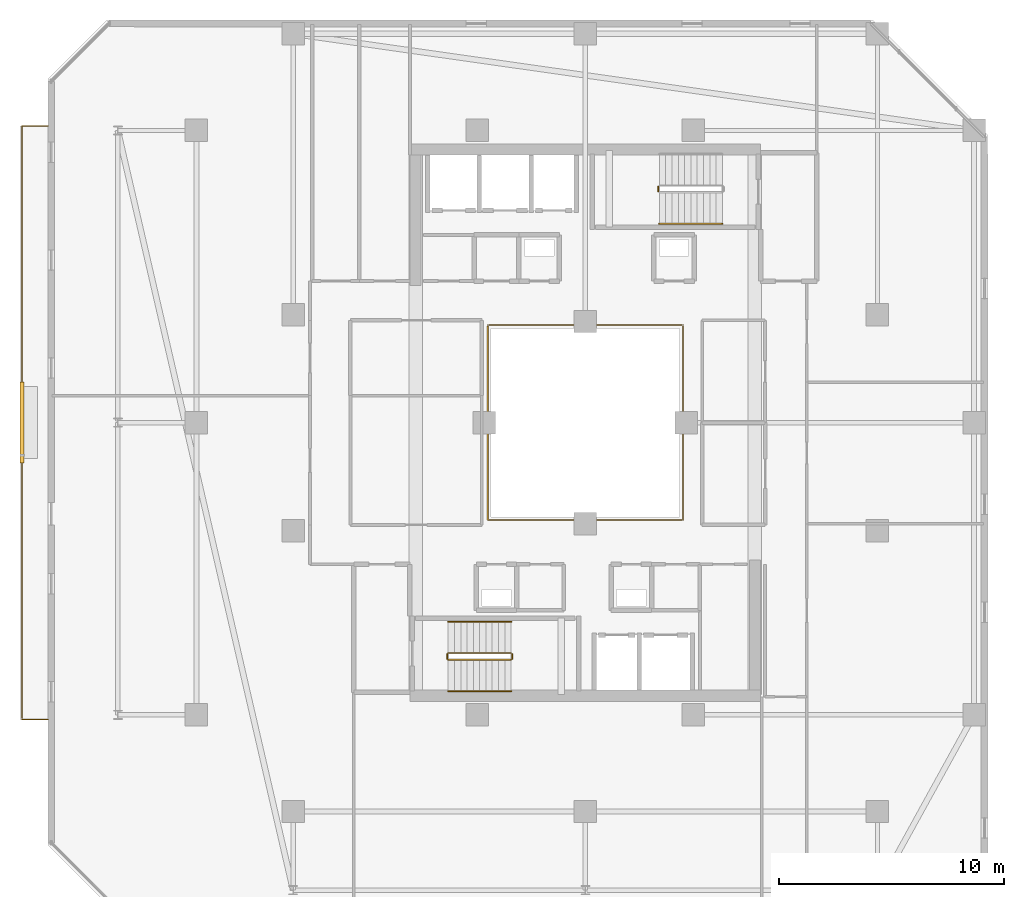
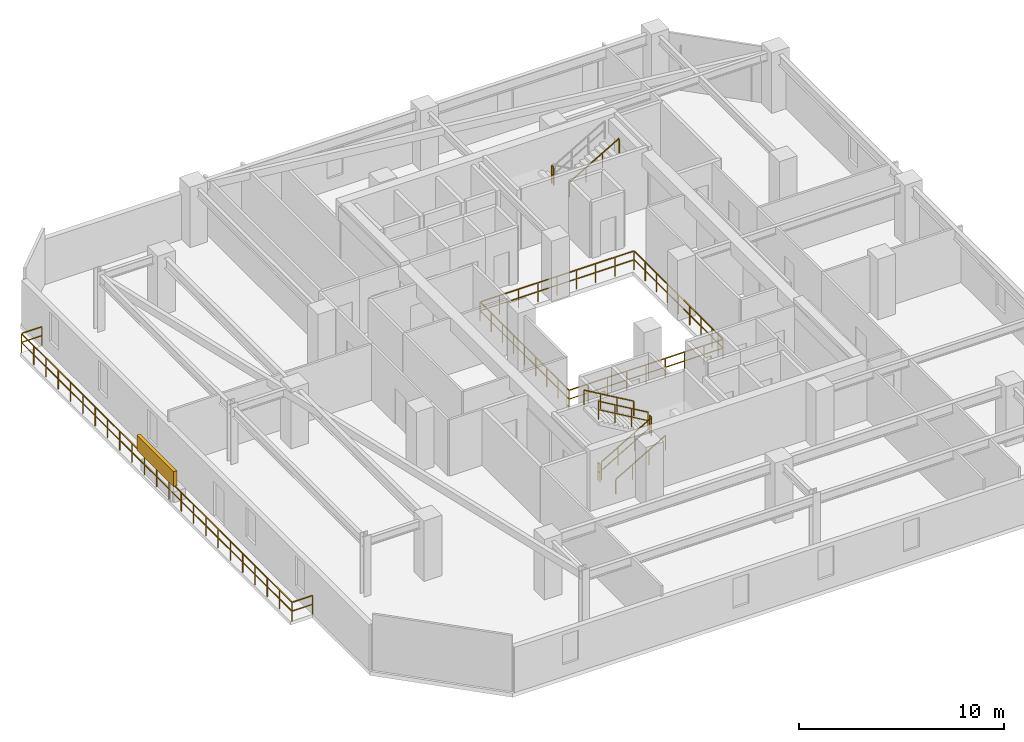
# One storey, part 29 of 32: 10 railings, 1 shading device.
"""IFC4 building model written with IfcOpenShell, lengths in metres."""

from ifc_helpers import new_model, si_unit, direction, frame, origin, origin_2d, place, context, subcontext, project, spatial, rectangle, extrude, material, type_object, element, save


model = new_model("IFC4")

# Units and contexts
model_context = context("Model", 3, precision=1e-05, world=origin(), true_north=direction((0.0, 1.0)))
body_context = subcontext(model_context, "Body", "Model", "MODEL_VIEW")
ifc_project = project(units=[si_unit("LENGTHUNIT", "METRE"), si_unit("AREAUNIT", "SQUARE_METRE"), si_unit("VOLUMEUNIT", "CUBIC_METRE"), si_unit("PLANEANGLEUNIT", "RADIAN"), si_unit("MASSUNIT", "GRAM", prefix="KILO")], contexts=[model_context])

# Site, building, storey
site_placement = place(None, origin())
site = spatial("IfcSite", under=ifc_project, at=site_placement, CompositionType="ELEMENT")
building_placement = place(site_placement, origin())
building = spatial("IfcBuilding", under=site, at=building_placement, Name="Thornwick Lancets Civic Towers", CompositionType="ELEMENT")
storey_placement = place(building_placement, frame((0.0, 0.0, 243.89990234375)))
storey = spatial("IfcBuildingStorey", under=building, at=storey_placement, Name="L65", CompositionType="ELEMENT", Elevation=243.89990234375)

# Railings
ifc_material_1 = material(Name="Laminated glass and bronze steel S355", Category="steel")
railing_type_1 = type_object("IfcRailingType", Name="RAIL_ATRIUM_GUARD", PredefinedType="BALUSTRADE", material=ifc_material_1)
railing_1_placement = place(storey_placement, frame((21.159912109375, 22.659912109375, 0.0)))
element("IfcRailing", 1, at=railing_1_placement, inside=storey, type_object=railing_type_1, Name="L65 Tower A Central Atrium Guard Balustrade", PredefinedType="BALUSTRADE", context=body_context, shape_type="SweptSolid", body=[
    extrude(rectangle(XDim=0.048095703125, YDim=0.048095703125, at=origin_2d()), frame((0.0, 0.0, 1.1259765625), z_axis=(1.0, 0.0, 0.0), x_axis=(0.0, 1.0, 0.0)), (0.0, 0.0, 1.0), 8.64892578125),
    extrude(rectangle(XDim=0.0419921875, YDim=0.0419921875, at=origin_2d()), frame((0.03759765625, 0.0, 0.597900390625), z_axis=(1.0, 0.0, 0.0), x_axis=(0.0, 1.0, 0.0)), (0.0, 0.0, 1.0), 1.010009765625),
    extrude(rectangle(XDim=0.0419921875, YDim=0.0419921875, at=origin_2d()), frame((1.12255859375, 0.0, 0.597900390625), z_axis=(1.0, 0.0, 0.0), x_axis=(0.0, 1.0, 0.0)), (0.0, 0.0, 1.0), 1.010009765625),
    extrude(rectangle(XDim=0.0419921875, YDim=0.0419921875, at=origin_2d()), frame((2.20751953125, 0.0, 0.597900390625), z_axis=(1.0, 0.0, 0.0), x_axis=(0.0, 1.0, 0.0)), (0.0, 0.0, 1.0), 1.010009765625),
    extrude(rectangle(XDim=0.0419921875, YDim=0.0419921875, at=origin_2d()), frame((3.29248046875, 0.0, 0.597900390625), z_axis=(1.0, 0.0, 0.0), x_axis=(0.0, 1.0, 0.0)), (0.0, 0.0, 1.0), 1.010009765625),
    extrude(rectangle(XDim=0.0419921875, YDim=0.0419921875, at=origin_2d()), frame((4.377685546875, 0.0, 0.597900390625), z_axis=(1.0, 0.0, 0.0), x_axis=(0.0, 1.0, 0.0)), (0.0, 0.0, 1.0), 1.010009765625),
    extrude(rectangle(XDim=0.0419921875, YDim=0.0419921875, at=origin_2d()), frame((5.462646484375, 0.0, 0.597900390625), z_axis=(1.0, 0.0, 0.0), x_axis=(0.0, 1.0, 0.0)), (0.0, 0.0, 1.0), 1.010009765625),
    extrude(rectangle(XDim=0.0419921875, YDim=0.0419921875, at=origin_2d()), frame((6.547607421875, 0.0, 0.597900390625), z_axis=(1.0, 0.0, 0.0), x_axis=(0.0, 1.0, 0.0)), (0.0, 0.0, 1.0), 1.010009765625),
    extrude(rectangle(XDim=0.0419921875, YDim=0.0419921875, at=origin_2d()), frame((7.632568359375, 0.0, 0.597900390625), z_axis=(1.0, 0.0, 0.0), x_axis=(0.0, 1.0, 0.0)), (0.0, 0.0, 1.0), 1.010009765625),
    extrude(rectangle(XDim=0.048095703125, YDim=0.048095703125, at=origin_2d()), frame((8.68017578125, 0.03125, 1.1259765625), z_axis=(0.0, 1.0, 0.0), x_axis=(-1.0, 0.0, 0.0)), (0.0, 0.0, 1.0), 8.61767578125),
    extrude(rectangle(XDim=0.0419921875, YDim=0.0419921875, at=origin_2d()), frame((8.68017578125, 0.03759765625, 0.597900390625), z_axis=(0.0, 1.0, 0.0), x_axis=(-1.0, 0.0, 0.0)), (0.0, 0.0, 1.0), 1.010009765625),
    extrude(rectangle(XDim=0.0419921875, YDim=0.0419921875, at=origin_2d()), frame((8.68017578125, 1.12255859375, 0.597900390625), z_axis=(0.0, 1.0, 0.0), x_axis=(-1.0, 0.0, 0.0)), (0.0, 0.0, 1.0), 1.010009765625),
    extrude(rectangle(XDim=0.0419921875, YDim=0.0419921875, at=origin_2d()), frame((8.68017578125, 2.20751953125, 0.597900390625), z_axis=(0.0, 1.0, 0.0), x_axis=(-1.0, 0.0, 0.0)), (0.0, 0.0, 1.0), 1.010009765625),
    extrude(rectangle(XDim=0.0419921875, YDim=0.0419921875, at=origin_2d()), frame((8.68017578125, 3.29248046875, 0.597900390625), z_axis=(0.0, 1.0, 0.0), x_axis=(-1.0, 0.0, 0.0)), (0.0, 0.0, 1.0), 1.010009765625),
    extrude(rectangle(XDim=0.0419921875, YDim=0.0419921875, at=origin_2d()), frame((8.68017578125, 4.377685546875, 0.597900390625), z_axis=(0.0, 1.0, 0.0), x_axis=(-1.0, 0.0, 0.0)), (0.0, 0.0, 1.0), 1.010009765625),
    extrude(rectangle(XDim=0.0419921875, YDim=0.0419921875, at=origin_2d()), frame((8.68017578125, 5.462646484375, 0.597900390625), z_axis=(0.0, 1.0, 0.0), x_axis=(-1.0, 0.0, 0.0)), (0.0, 0.0, 1.0), 1.010009765625),
    extrude(rectangle(XDim=0.0419921875, YDim=0.0419921875, at=origin_2d()), frame((8.68017578125, 6.547607421875, 0.597900390625), z_axis=(0.0, 1.0, 0.0), x_axis=(-1.0, 0.0, 0.0)), (0.0, 0.0, 1.0), 1.010009765625),
    extrude(rectangle(XDim=0.0419921875, YDim=0.0419921875, at=origin_2d()), frame((8.68017578125, 7.632568359375, 0.597900390625), z_axis=(0.0, 1.0, 0.0), x_axis=(-1.0, 0.0, 0.0)), (0.0, 0.0, 1.0), 1.010009765625),
    extrude(rectangle(XDim=0.048095703125, YDim=0.048095703125, at=origin_2d()), frame((8.64892578125, 8.68017578125, 1.1259765625), z_axis=(-1.0, 0.0, 0.0), x_axis=(0.0, -1.0, 0.0)), (0.0, 0.0, 1.0), 8.61767578125),
    extrude(rectangle(XDim=0.0419921875, YDim=0.0419921875, at=origin_2d()), frame((8.642578125, 8.68017578125, 0.597900390625), z_axis=(-1.0, 0.0, 0.0), x_axis=(0.0, -1.0, 0.0)), (0.0, 0.0, 1.0), 1.010009765625),
    extrude(rectangle(XDim=0.0419921875, YDim=0.0419921875, at=origin_2d()), frame((7.5576171875, 8.68017578125, 0.597900390625), z_axis=(-1.0, 0.0, 0.0), x_axis=(0.0, -1.0, 0.0)), (0.0, 0.0, 1.0), 1.010009765625),
    extrude(rectangle(XDim=0.0419921875, YDim=0.0419921875, at=origin_2d()), frame((6.47265625, 8.68017578125, 0.597900390625), z_axis=(-1.0, 0.0, 0.0), x_axis=(0.0, -1.0, 0.0)), (0.0, 0.0, 1.0), 1.010009765625),
    extrude(rectangle(XDim=0.0419921875, YDim=0.0419921875, at=origin_2d()), frame((5.3876953125, 8.68017578125, 0.597900390625), z_axis=(-1.0, 0.0, 0.0), x_axis=(0.0, -1.0, 0.0)), (0.0, 0.0, 1.0), 1.010009765625),
    extrude(rectangle(XDim=0.0419921875, YDim=0.0419921875, at=origin_2d()), frame((4.302490234375, 8.68017578125, 0.597900390625), z_axis=(-1.0, 0.0, 0.0), x_axis=(0.0, -1.0, 0.0)), (0.0, 0.0, 1.0), 1.010009765625),
    extrude(rectangle(XDim=0.0419921875, YDim=0.0419921875, at=origin_2d()), frame((3.217529296875, 8.68017578125, 0.597900390625), z_axis=(-1.0, 0.0, 0.0), x_axis=(0.0, -1.0, 0.0)), (0.0, 0.0, 1.0), 1.010009765625),
    extrude(rectangle(XDim=0.0419921875, YDim=0.0419921875, at=origin_2d()), frame((2.132568359375, 8.68017578125, 0.597900390625), z_axis=(-1.0, 0.0, 0.0), x_axis=(0.0, -1.0, 0.0)), (0.0, 0.0, 1.0), 1.010009765625),
    extrude(rectangle(XDim=0.0419921875, YDim=0.0419921875, at=origin_2d()), frame((1.047607421875, 8.68017578125, 0.597900390625), z_axis=(-1.0, 0.0, 0.0), x_axis=(0.0, -1.0, 0.0)), (0.0, 0.0, 1.0), 1.010009765625),
    extrude(rectangle(XDim=0.048095703125, YDim=0.048095703125, at=origin_2d()), frame((0.0, 8.64892578125, 1.1259765625), z_axis=(0.0, -1.0, 0.0), x_axis=(1.0, 0.0, 0.0)), (0.0, 0.0, 1.0), 8.64892578125),
    extrude(rectangle(XDim=0.0419921875, YDim=0.0419921875, at=origin_2d()), frame((0.0, 8.642578125, 0.597900390625), z_axis=(0.0, -1.0, 0.0), x_axis=(1.0, 0.0, 0.0)), (0.0, 0.0, 1.0), 1.010009765625),
    extrude(rectangle(XDim=0.0419921875, YDim=0.0419921875, at=origin_2d()), frame((0.0, 7.5576171875, 0.597900390625), z_axis=(0.0, -1.0, 0.0), x_axis=(1.0, 0.0, 0.0)), (0.0, 0.0, 1.0), 1.010009765625),
    extrude(rectangle(XDim=0.0419921875, YDim=0.0419921875, at=origin_2d()), frame((0.0, 6.47265625, 0.597900390625), z_axis=(0.0, -1.0, 0.0), x_axis=(1.0, 0.0, 0.0)), (0.0, 0.0, 1.0), 1.010009765625),
    extrude(rectangle(XDim=0.0419921875, YDim=0.0419921875, at=origin_2d()), frame((0.0, 5.3876953125, 0.597900390625), z_axis=(0.0, -1.0, 0.0), x_axis=(1.0, 0.0, 0.0)), (0.0, 0.0, 1.0), 1.010009765625),
    extrude(rectangle(XDim=0.0419921875, YDim=0.0419921875, at=origin_2d()), frame((0.0, 4.302490234375, 0.597900390625), z_axis=(0.0, -1.0, 0.0), x_axis=(1.0, 0.0, 0.0)), (0.0, 0.0, 1.0), 1.010009765625),
    extrude(rectangle(XDim=0.0419921875, YDim=0.0419921875, at=origin_2d()), frame((0.0, 3.217529296875, 0.597900390625), z_axis=(0.0, -1.0, 0.0), x_axis=(1.0, 0.0, 0.0)), (0.0, 0.0, 1.0), 1.010009765625),
    extrude(rectangle(XDim=0.0419921875, YDim=0.0419921875, at=origin_2d()), frame((0.0, 2.132568359375, 0.597900390625), z_axis=(0.0, -1.0, 0.0), x_axis=(1.0, 0.0, 0.0)), (0.0, 0.0, 1.0), 1.010009765625),
    extrude(rectangle(XDim=0.0419921875, YDim=0.0419921875, at=origin_2d()), frame((0.0, 1.047607421875, 0.597900390625), z_axis=(0.0, -1.0, 0.0), x_axis=(1.0, 0.0, 0.0)), (0.0, 0.0, 1.0), 1.010009765625),
    extrude(rectangle(XDim=0.0419921875, YDim=0.0419921875, at=origin_2d()), origin(), (0.0, 0.0, 1.0), 1.095703125),
    extrude(rectangle(XDim=0.0419921875, YDim=0.0419921875, at=origin_2d()), frame((1.0849609375, 0.0, 0.0)), (0.0, 0.0, 1.0), 1.095703125),
    extrude(rectangle(XDim=0.0419921875, YDim=0.0419921875, at=origin_2d()), frame((2.169921875, 0.0, 0.0)), (0.0, 0.0, 1.0), 1.095703125),
    extrude(rectangle(XDim=0.0419921875, YDim=0.0419921875, at=origin_2d()), frame((3.255126953125, 0.0, 0.0)), (0.0, 0.0, 1.0), 1.095703125),
    extrude(rectangle(XDim=0.0419921875, YDim=0.0419921875, at=origin_2d()), frame((4.340087890625, 0.0, 0.0)), (0.0, 0.0, 1.0), 1.095703125),
    extrude(rectangle(XDim=0.0419921875, YDim=0.0419921875, at=origin_2d()), frame((5.425048828125, 0.0, 0.0)), (0.0, 0.0, 1.0), 1.095703125),
    extrude(rectangle(XDim=0.0419921875, YDim=0.0419921875, at=origin_2d()), frame((6.51025390625, 0.0, 0.0)), (0.0, 0.0, 1.0), 1.095703125),
    extrude(rectangle(XDim=0.0419921875, YDim=0.0419921875, at=origin_2d()), frame((7.59521484375, 0.0, 0.0)), (0.0, 0.0, 1.0), 1.095703125),
    extrude(rectangle(XDim=0.0419921875, YDim=0.0419921875, at=origin_2d()), frame((8.68017578125, 0.0, 0.0)), (0.0, 0.0, 1.0), 1.095703125),
    extrude(rectangle(XDim=0.0419921875, YDim=0.0419921875, at=origin_2d()), frame((8.68017578125, 1.0849609375, 0.0)), (0.0, 0.0, 1.0), 1.095703125),
    extrude(rectangle(XDim=0.0419921875, YDim=0.0419921875, at=origin_2d()), frame((8.68017578125, 2.169921875, 0.0)), (0.0, 0.0, 1.0), 1.095703125),
    extrude(rectangle(XDim=0.0419921875, YDim=0.0419921875, at=origin_2d()), frame((8.68017578125, 3.255126953125, 0.0)), (0.0, 0.0, 1.0), 1.095703125),
    extrude(rectangle(XDim=0.0419921875, YDim=0.0419921875, at=origin_2d()), frame((8.68017578125, 4.340087890625, 0.0)), (0.0, 0.0, 1.0), 1.095703125),
    extrude(rectangle(XDim=0.0419921875, YDim=0.0419921875, at=origin_2d()), frame((8.68017578125, 5.425048828125, 0.0)), (0.0, 0.0, 1.0), 1.095703125),
    extrude(rectangle(XDim=0.0419921875, YDim=0.0419921875, at=origin_2d()), frame((8.68017578125, 6.51025390625, 0.0)), (0.0, 0.0, 1.0), 1.095703125),
    extrude(rectangle(XDim=0.0419921875, YDim=0.0419921875, at=origin_2d()), frame((8.68017578125, 7.59521484375, 0.0)), (0.0, 0.0, 1.0), 1.095703125),
    extrude(rectangle(XDim=0.0419921875, YDim=0.0419921875, at=origin_2d()), frame((8.68017578125, 8.68017578125, 0.0)), (0.0, 0.0, 1.0), 1.095703125),
    extrude(rectangle(XDim=0.0419921875, YDim=0.0419921875, at=origin_2d()), frame((7.59521484375, 8.68017578125, 0.0)), (0.0, 0.0, 1.0), 1.095703125),
    extrude(rectangle(XDim=0.0419921875, YDim=0.0419921875, at=origin_2d()), frame((6.51025390625, 8.68017578125, 0.0)), (0.0, 0.0, 1.0), 1.095703125),
    extrude(rectangle(XDim=0.0419921875, YDim=0.0419921875, at=origin_2d()), frame((5.425048828125, 8.68017578125, 0.0)), (0.0, 0.0, 1.0), 1.095703125),
    extrude(rectangle(XDim=0.0419921875, YDim=0.0419921875, at=origin_2d()), frame((4.340087890625, 8.68017578125, 0.0)), (0.0, 0.0, 1.0), 1.095703125),
    extrude(rectangle(XDim=0.0419921875, YDim=0.0419921875, at=origin_2d()), frame((3.255126953125, 8.68017578125, 0.0)), (0.0, 0.0, 1.0), 1.095703125),
    extrude(rectangle(XDim=0.0419921875, YDim=0.0419921875, at=origin_2d()), frame((2.169921875, 8.68017578125, 0.0)), (0.0, 0.0, 1.0), 1.095703125),
    extrude(rectangle(XDim=0.0419921875, YDim=0.0419921875, at=origin_2d()), frame((1.0849609375, 8.68017578125, 0.0)), (0.0, 0.0, 1.0), 1.095703125),
    extrude(rectangle(XDim=0.0419921875, YDim=0.0419921875, at=origin_2d()), frame((0.0, 8.68017578125, 0.0)), (0.0, 0.0, 1.0), 1.095703125),
    extrude(rectangle(XDim=0.0419921875, YDim=0.0419921875, at=origin_2d()), frame((0.0, 7.59521484375, 0.0)), (0.0, 0.0, 1.0), 1.095703125),
    extrude(rectangle(XDim=0.0419921875, YDim=0.0419921875, at=origin_2d()), frame((0.0, 6.51025390625, 0.0)), (0.0, 0.0, 1.0), 1.095703125),
    extrude(rectangle(XDim=0.0419921875, YDim=0.0419921875, at=origin_2d()), frame((0.0, 5.425048828125, 0.0)), (0.0, 0.0, 1.0), 1.095703125),
    extrude(rectangle(XDim=0.0419921875, YDim=0.0419921875, at=origin_2d()), frame((0.0, 4.340087890625, 0.0)), (0.0, 0.0, 1.0), 1.095703125),
    extrude(rectangle(XDim=0.0419921875, YDim=0.0419921875, at=origin_2d()), frame((0.0, 3.255126953125, 0.0)), (0.0, 0.0, 1.0), 1.095703125),
    extrude(rectangle(XDim=0.0419921875, YDim=0.0419921875, at=origin_2d()), frame((0.0, 2.169921875, 0.0)), (0.0, 0.0, 1.0), 1.095703125),
    extrude(rectangle(XDim=0.0419921875, YDim=0.0419921875, at=origin_2d()), frame((0.0, 1.0849609375, 0.0)), (0.0, 0.0, 1.0), 1.095703125),
])
ifc_material_2 = material(Name="Brushed stainless steel S355", Category="steel")
railing_type_2 = type_object("IfcRailingType", Name="RAIL_HANDRAIL", PredefinedType="HANDRAIL", material=ifc_material_2)
railing_2_placement = place(storey_placement, frame((19.39990234375, 15.050048828125, 0.163818359375)))
element("IfcRailing", 2, at=railing_2_placement, inside=storey, type_object=railing_type_2, Name="L65 ST-A1 stair handrail 1", PredefinedType="HANDRAIL", context=body_context, shape_type="SweptSolid", body=[
    extrude(rectangle(XDim=0.048095703125, YDim=0.048095703125, at=origin_2d()), frame((0.0, 0.0, 0.8857421875), z_axis=(0.863393664356, 0.0, 0.504530851732), x_axis=(0.0, 1.0, 0.0)), (0.0, 0.0, 1.0), 3.2431640625),
    extrude(rectangle(XDim=0.0419921875, YDim=0.0419921875, at=origin_2d()), origin(), (0.0, 0.0, 1.0), 0.855712890625),
    extrude(rectangle(XDim=0.0419921875, YDim=0.0419921875, at=origin_2d()), frame((0.933349609375, 0.0, 0.54541015625)), (0.0, 0.0, 1.0), 0.855712890625),
    extrude(rectangle(XDim=0.0419921875, YDim=0.0419921875, at=origin_2d()), frame((1.86669921875, 0.0, 1.0908203125)), (0.0, 0.0, 1.0), 0.855712890625),
    extrude(rectangle(XDim=0.0419921875, YDim=0.0419921875, at=origin_2d()), frame((2.800048828125, 0.0, 1.63623046875)), (0.0, 0.0, 1.0), 0.855712890625),
])
railing_3_placement = place(storey_placement, frame((22.199951171875, 18.14990234375, 1.963623046875)))
element("IfcRailing", 3, at=railing_3_placement, inside=storey, type_object=railing_type_2, Name="L65 ST-A1 stair handrail 2", PredefinedType="HANDRAIL", context=body_context, shape_type="SweptSolid", body=[
    extrude(rectangle(XDim=0.048095703125, YDim=0.048095703125, at=origin_2d()), frame((0.0, 0.0, 0.8857421875), z_axis=(-0.863360870873, 0.0, 0.504586966384), x_axis=(0.0, -1.0, 0.0)), (0.0, 0.0, 1.0), 3.2431640625),
    extrude(rectangle(XDim=0.0419921875, YDim=0.0419921875, at=origin_2d()), origin(), (0.0, 0.0, 1.0), 0.855712890625),
    extrude(rectangle(XDim=0.0419921875, YDim=0.0419921875, at=origin_2d()), frame((-0.933349609375, 0.0, 0.54541015625)), (0.0, 0.0, 1.0), 0.855712890625),
    extrude(rectangle(XDim=0.0419921875, YDim=0.0419921875, at=origin_2d()), frame((-1.86669921875, 0.0, 1.091064453125)), (0.0, 0.0, 1.0), 0.855712890625),
    extrude(rectangle(XDim=0.0419921875, YDim=0.0419921875, at=origin_2d()), frame((-2.800048828125, 0.0, 1.636474609375)), (0.0, 0.0, 1.0), 0.855712890625),
])
railing_4_placement = place(storey_placement, frame((28.800048828125, 35.85009765625, 1.963623046875)))
element("IfcRailing", 4, at=railing_4_placement, inside=storey, type_object=railing_type_2, Name="L65 ST-A2 stair handrail 2", PredefinedType="HANDRAIL", context=body_context, shape_type="SweptSolid", body=[
    extrude(rectangle(XDim=0.048095703125, YDim=0.048095703125, at=origin_2d()), frame((0.0, 0.0, 0.8857421875), z_axis=(0.863360870873, 0.0, 0.504586966384), x_axis=(0.0, 1.0, 0.0)), (0.0, 0.0, 1.0), 3.2431640625),
    extrude(rectangle(XDim=0.0419921875, YDim=0.0419921875, at=origin_2d()), origin(), (0.0, 0.0, 1.0), 0.855712890625),
    extrude(rectangle(XDim=0.0419921875, YDim=0.0419921875, at=origin_2d()), frame((0.933349609375, 0.0, 0.54541015625)), (0.0, 0.0, 1.0), 0.855712890625),
    extrude(rectangle(XDim=0.0419921875, YDim=0.0419921875, at=origin_2d()), frame((1.86669921875, 0.0, 1.091064453125)), (0.0, 0.0, 1.0), 0.855712890625),
    extrude(rectangle(XDim=0.0419921875, YDim=0.0419921875, at=origin_2d()), frame((2.800048828125, 0.0, 1.636474609375)), (0.0, 0.0, 1.0), 0.855712890625),
])
ifc_material_3 = material(Name="Steel S355JR", Category="steel")
railing_type_3 = type_object("IfcRailingType", Name="RAIL_STAIR_GUARD", PredefinedType="GUARDRAIL", material=ifc_material_3)
railing_5_placement = place(storey_placement, frame((19.39990234375, 16.449951171875, 0.163818359375)))
element("IfcRailing", 5, at=railing_5_placement, inside=storey, type_object=railing_type_3, Name="L65 ST-A1 stair guard 1", PredefinedType="GUARDRAIL", context=body_context, shape_type="SweptSolid", body=[
    extrude(rectangle(XDim=0.048095703125, YDim=0.048095703125, at=origin_2d()), frame((0.0, 0.0, 1.076171875), z_axis=(0.863393664356, 0.0, 0.504530851732), x_axis=(0.0, 1.0, 0.0)), (0.0, 0.0, 1.0), 3.2431640625),
    extrude(rectangle(XDim=0.0419921875, YDim=0.0419921875, at=origin_2d()), frame((0.032470703125, 0.0, 0.591064453125), z_axis=(0.863393664356, 0.0, 0.504530851732), x_axis=(0.0, 1.0, 0.0)), (0.0, 0.0, 1.0), 1.006103515625),
    extrude(rectangle(XDim=0.0419921875, YDim=0.0419921875, at=origin_2d()), frame((0.9658203125, 0.0, 1.136474609375), z_axis=(0.863393664356, 0.0, 0.504530851732), x_axis=(0.0, 1.0, 0.0)), (0.0, 0.0, 1.0), 1.006103515625),
    extrude(rectangle(XDim=0.0419921875, YDim=0.0419921875, at=origin_2d()), frame((1.899169921875, 0.0, 1.681884765625), z_axis=(0.863393664356, 0.0, 0.504530851732), x_axis=(0.0, 1.0, 0.0)), (0.0, 0.0, 1.0), 1.006103515625),
    extrude(rectangle(XDim=0.0419921875, YDim=0.0419921875, at=origin_2d()), origin(), (0.0, 0.0, 1.0), 1.0458984375),
    extrude(rectangle(XDim=0.0419921875, YDim=0.0419921875, at=origin_2d()), frame((0.933349609375, 0.0, 0.54541015625)), (0.0, 0.0, 1.0), 1.0458984375),
    extrude(rectangle(XDim=0.0419921875, YDim=0.0419921875, at=origin_2d()), frame((1.86669921875, 0.0, 1.0908203125)), (0.0, 0.0, 1.0), 1.0458984375),
    extrude(rectangle(XDim=0.0419921875, YDim=0.0419921875, at=origin_2d()), frame((2.800048828125, 0.0, 1.63623046875)), (0.0, 0.0, 1.0), 1.0458984375),
])
railing_6_placement = place(storey_placement, frame((22.25, 16.5, 1.800048828125)))
element("IfcRailing", 6, at=railing_6_placement, inside=storey, type_object=railing_type_3, Name="L65 ST-A1 stair guard 2", PredefinedType="GUARDRAIL", context=body_context, shape_type="SweptSolid", body=[
    extrude(rectangle(XDim=0.048095703125, YDim=0.048095703125, at=origin_2d()), frame((0.0, 0.0, 1.076171875), z_axis=(0.0, 1.0, 0.0), x_axis=(-1.0, 0.0, 0.0)), (0.0, 0.0, 1.0), 0.199951171875),
    extrude(rectangle(XDim=0.0419921875, YDim=0.0419921875, at=origin_2d()), frame((0.0, 0.03759765625, 0.572021484375), z_axis=(0.0, 1.0, 0.0), x_axis=(-1.0, 0.0, 0.0)), (0.0, 0.0, 1.0), 0.125),
    extrude(rectangle(XDim=0.0419921875, YDim=0.0419921875, at=origin_2d()), origin(), (0.0, 0.0, 1.0), 1.0458984375),
    extrude(rectangle(XDim=0.0419921875, YDim=0.0419921875, at=origin_2d()), frame((0.0, 0.199951171875, 0.0)), (0.0, 0.0, 1.0), 1.0458984375),
])
railing_7_placement = place(storey_placement, frame((22.199951171875, 16.75, 1.963623046875)))
element("IfcRailing", 7, at=railing_7_placement, inside=storey, type_object=railing_type_3, Name="L65 ST-A1 stair guard 3", PredefinedType="GUARDRAIL", context=body_context, shape_type="SweptSolid", body=[
    extrude(rectangle(XDim=0.048095703125, YDim=0.048095703125, at=origin_2d()), frame((0.0, 0.0, 1.076171875), z_axis=(-0.863360870873, 0.0, 0.504586966384), x_axis=(0.0, -1.0, 0.0)), (0.0, 0.0, 1.0), 3.2431640625),
    extrude(rectangle(XDim=0.0419921875, YDim=0.0419921875, at=origin_2d()), frame((-0.032470703125, 0.0, 0.591064453125), z_axis=(-0.863360870873, 0.0, 0.504586966384), x_axis=(0.0, -1.0, 0.0)), (0.0, 0.0, 1.0), 1.006103515625),
    extrude(rectangle(XDim=0.0419921875, YDim=0.0419921875, at=origin_2d()), frame((-0.9658203125, 0.0, 1.136474609375), z_axis=(-0.863360870873, 0.0, 0.504586966384), x_axis=(0.0, -1.0, 0.0)), (0.0, 0.0, 1.0), 1.006103515625),
    extrude(rectangle(XDim=0.0419921875, YDim=0.0419921875, at=origin_2d()), frame((-1.899169921875, 0.0, 1.681884765625), z_axis=(-0.863360870873, 0.0, 0.504586966384), x_axis=(0.0, -1.0, 0.0)), (0.0, 0.0, 1.0), 1.006103515625),
    extrude(rectangle(XDim=0.0419921875, YDim=0.0419921875, at=origin_2d()), origin(), (0.0, 0.0, 1.0), 1.0458984375),
    extrude(rectangle(XDim=0.0419921875, YDim=0.0419921875, at=origin_2d()), frame((-0.933349609375, 0.0, 0.54541015625)), (0.0, 0.0, 1.0), 1.0458984375),
    extrude(rectangle(XDim=0.0419921875, YDim=0.0419921875, at=origin_2d()), frame((-1.86669921875, 0.0, 1.091064453125)), (0.0, 0.0, 1.0), 1.0458984375),
    extrude(rectangle(XDim=0.0419921875, YDim=0.0419921875, at=origin_2d()), frame((-2.800048828125, 0.0, 1.636474609375)), (0.0, 0.0, 1.0), 1.0458984375),
])
railing_8_placement = place(storey_placement, frame((19.35009765625, 16.5, 0.0)))
element("IfcRailing", 8, at=railing_8_placement, inside=storey, type_object=railing_type_3, Name="L65 ST-A1 stair guard 4", PredefinedType="GUARDRAIL", context=body_context, shape_type="SweptSolid", body=[
    extrude(rectangle(XDim=0.048095703125, YDim=0.048095703125, at=origin_2d()), frame((0.0, 0.0, 1.076171875), z_axis=(0.0, 1.0, 0.0), x_axis=(-1.0, 0.0, 0.0)), (0.0, 0.0, 1.0), 0.199951171875),
    extrude(rectangle(XDim=0.0419921875, YDim=0.0419921875, at=origin_2d()), frame((0.0, 0.03759765625, 0.572021484375), z_axis=(0.0, 1.0, 0.0), x_axis=(-1.0, 0.0, 0.0)), (0.0, 0.0, 1.0), 0.125),
    extrude(rectangle(XDim=0.0419921875, YDim=0.0419921875, at=origin_2d()), origin(), (0.0, 0.0, 1.0), 1.0458984375),
    extrude(rectangle(XDim=0.0419921875, YDim=0.0419921875, at=origin_2d()), frame((0.0, 0.199951171875, 0.0)), (0.0, 0.0, 1.0), 1.0458984375),
])
railing_9_placement = place(storey_placement, frame((28.75, 37.5, 1.800048828125)))
element("IfcRailing", 9, at=railing_9_placement, inside=storey, type_object=railing_type_3, Name="L65 ST-A2 stair guard 2", PredefinedType="GUARDRAIL", context=body_context, shape_type="SweptSolid", body=[
    extrude(rectangle(XDim=0.048095703125, YDim=0.048095703125, at=origin_2d()), frame((0.0, 0.0, 1.076171875), z_axis=(0.0, -1.0, 0.0), x_axis=(1.0, 0.0, 0.0)), (0.0, 0.0, 1.0), 0.199951171875),
    extrude(rectangle(XDim=0.0419921875, YDim=0.0419921875, at=origin_2d()), frame((0.0, -0.03759765625, 0.572021484375), z_axis=(0.0, -1.0, 0.0), x_axis=(1.0, 0.0, 0.0)), (0.0, 0.0, 1.0), 0.125),
    extrude(rectangle(XDim=0.0419921875, YDim=0.0419921875, at=origin_2d()), origin(), (0.0, 0.0, 1.0), 1.0458984375),
    extrude(rectangle(XDim=0.0419921875, YDim=0.0419921875, at=origin_2d()), frame((0.0, -0.199951171875, 0.0)), (0.0, 0.0, 1.0), 1.0458984375),
])
ifc_material_4 = material(Name="Terracotta-capped laminated glass balustrade S355", Category="masonry")
railing_type_4 = type_object("IfcRailingType", Name="RAIL_TERR_GUARD", PredefinedType="GUARDRAIL", material=ifc_material_4)
railing_10_placement = place(storey_placement, frame((1.60009765625, 13.800048828125, 0.0)))
element("IfcRailing", 10, at=railing_10_placement, inside=storey, type_object=railing_type_4, Name="L65 Tower A Balcony Guard W", PredefinedType="GUARDRAIL", context=body_context, shape_type="SweptSolid", body=[
    extrude(rectangle(XDim=0.048095703125, YDim=0.048095703125, at=origin_2d()), frame((0.0, 0.0, 1.1259765625), z_axis=(-1.0, 0.0, 0.0), x_axis=(0.0, -1.0, 0.0)), (0.0, 0.0, 1.0), 1.138916015625),
    extrude(rectangle(XDim=0.0419921875, YDim=0.0419921875, at=origin_2d()), frame((-0.03759765625, 0.0, 0.597900390625), z_axis=(-1.0, 0.0, 0.0), x_axis=(0.0, -1.0, 0.0)), (0.0, 0.0, 1.0), 1.09521484375),
    extrude(rectangle(XDim=0.048095703125, YDim=0.048095703125, at=origin_2d()), frame((-1.170166015625, 0.03125, 1.1259765625), z_axis=(0.0, 1.0, 0.0), x_axis=(-1.0, 0.0, 0.0)), (0.0, 0.0, 1.0), 26.33740234375),
    extrude(rectangle(XDim=0.0419921875, YDim=0.0419921875, at=origin_2d()), frame((-1.170166015625, 0.03759765625, 0.597900390625), z_axis=(0.0, 1.0, 0.0), x_axis=(-1.0, 0.0, 0.0)), (0.0, 0.0, 1.0), 1.125),
    extrude(rectangle(XDim=0.0419921875, YDim=0.0419921875, at=origin_2d()), frame((-1.170166015625, 1.237548828125, 0.597900390625), z_axis=(0.0, 1.0, 0.0), x_axis=(-1.0, 0.0, 0.0)), (0.0, 0.0, 1.0), 1.125),
    extrude(rectangle(XDim=0.0419921875, YDim=0.0419921875, at=origin_2d()), frame((-1.170166015625, 2.4375, 0.597900390625), z_axis=(0.0, 1.0, 0.0), x_axis=(-1.0, 0.0, 0.0)), (0.0, 0.0, 1.0), 1.125),
    extrude(rectangle(XDim=0.0419921875, YDim=0.0419921875, at=origin_2d()), frame((-1.170166015625, 3.637451171875, 0.597900390625), z_axis=(0.0, 1.0, 0.0), x_axis=(-1.0, 0.0, 0.0)), (0.0, 0.0, 1.0), 1.125),
    extrude(rectangle(XDim=0.0419921875, YDim=0.0419921875, at=origin_2d()), frame((-1.170166015625, 4.83740234375, 0.597900390625), z_axis=(0.0, 1.0, 0.0), x_axis=(-1.0, 0.0, 0.0)), (0.0, 0.0, 1.0), 1.125),
    extrude(rectangle(XDim=0.0419921875, YDim=0.0419921875, at=origin_2d()), frame((-1.170166015625, 6.037353515625, 0.597900390625), z_axis=(0.0, 1.0, 0.0), x_axis=(-1.0, 0.0, 0.0)), (0.0, 0.0, 1.0), 1.125),
    extrude(rectangle(XDim=0.0419921875, YDim=0.0419921875, at=origin_2d()), frame((-1.170166015625, 7.237548828125, 0.597900390625), z_axis=(0.0, 1.0, 0.0), x_axis=(-1.0, 0.0, 0.0)), (0.0, 0.0, 1.0), 1.125),
    extrude(rectangle(XDim=0.0419921875, YDim=0.0419921875, at=origin_2d()), frame((-1.170166015625, 8.4375, 0.597900390625), z_axis=(0.0, 1.0, 0.0), x_axis=(-1.0, 0.0, 0.0)), (0.0, 0.0, 1.0), 1.125),
    extrude(rectangle(XDim=0.0419921875, YDim=0.0419921875, at=origin_2d()), frame((-1.170166015625, 9.637451171875, 0.597900390625), z_axis=(0.0, 1.0, 0.0), x_axis=(-1.0, 0.0, 0.0)), (0.0, 0.0, 1.0), 1.125),
    extrude(rectangle(XDim=0.0419921875, YDim=0.0419921875, at=origin_2d()), frame((-1.170166015625, 10.83740234375, 0.597900390625), z_axis=(0.0, 1.0, 0.0), x_axis=(-1.0, 0.0, 0.0)), (0.0, 0.0, 1.0), 1.125),
    extrude(rectangle(XDim=0.0419921875, YDim=0.0419921875, at=origin_2d()), frame((-1.170166015625, 12.037353515625, 0.597900390625), z_axis=(0.0, 1.0, 0.0), x_axis=(-1.0, 0.0, 0.0)), (0.0, 0.0, 1.0), 1.125),
    extrude(rectangle(XDim=0.0419921875, YDim=0.0419921875, at=origin_2d()), frame((-1.170166015625, 13.237548828125, 0.597900390625), z_axis=(0.0, 1.0, 0.0), x_axis=(-1.0, 0.0, 0.0)), (0.0, 0.0, 1.0), 1.125),
    extrude(rectangle(XDim=0.0419921875, YDim=0.0419921875, at=origin_2d()), frame((-1.170166015625, 14.4375, 0.597900390625), z_axis=(0.0, 1.0, 0.0), x_axis=(-1.0, 0.0, 0.0)), (0.0, 0.0, 1.0), 1.125),
    extrude(rectangle(XDim=0.0419921875, YDim=0.0419921875, at=origin_2d()), frame((-1.170166015625, 15.637451171875, 0.597900390625), z_axis=(0.0, 1.0, 0.0), x_axis=(-1.0, 0.0, 0.0)), (0.0, 0.0, 1.0), 1.125),
    extrude(rectangle(XDim=0.0419921875, YDim=0.0419921875, at=origin_2d()), frame((-1.170166015625, 16.83740234375, 0.597900390625), z_axis=(0.0, 1.0, 0.0), x_axis=(-1.0, 0.0, 0.0)), (0.0, 0.0, 1.0), 1.125),
    extrude(rectangle(XDim=0.0419921875, YDim=0.0419921875, at=origin_2d()), frame((-1.170166015625, 18.037353515625, 0.597900390625), z_axis=(0.0, 1.0, 0.0), x_axis=(-1.0, 0.0, 0.0)), (0.0, 0.0, 1.0), 1.125),
    extrude(rectangle(XDim=0.0419921875, YDim=0.0419921875, at=origin_2d()), frame((-1.170166015625, 19.2373046875, 0.597900390625), z_axis=(0.0, 1.0, 0.0), x_axis=(-1.0, 0.0, 0.0)), (0.0, 0.0, 1.0), 1.125),
    extrude(rectangle(XDim=0.0419921875, YDim=0.0419921875, at=origin_2d()), frame((-1.170166015625, 20.4375, 0.597900390625), z_axis=(0.0, 1.0, 0.0), x_axis=(-1.0, 0.0, 0.0)), (0.0, 0.0, 1.0), 1.125),
    extrude(rectangle(XDim=0.0419921875, YDim=0.0419921875, at=origin_2d()), frame((-1.170166015625, 21.637451171875, 0.597900390625), z_axis=(0.0, 1.0, 0.0), x_axis=(-1.0, 0.0, 0.0)), (0.0, 0.0, 1.0), 1.125),
    extrude(rectangle(XDim=0.0419921875, YDim=0.0419921875, at=origin_2d()), frame((-1.170166015625, 22.83740234375, 0.597900390625), z_axis=(0.0, 1.0, 0.0), x_axis=(-1.0, 0.0, 0.0)), (0.0, 0.0, 1.0), 1.125),
    extrude(rectangle(XDim=0.0419921875, YDim=0.0419921875, at=origin_2d()), frame((-1.170166015625, 24.037353515625, 0.597900390625), z_axis=(0.0, 1.0, 0.0), x_axis=(-1.0, 0.0, 0.0)), (0.0, 0.0, 1.0), 1.125),
    extrude(rectangle(XDim=0.0419921875, YDim=0.0419921875, at=origin_2d()), frame((-1.170166015625, 25.2373046875, 0.597900390625), z_axis=(0.0, 1.0, 0.0), x_axis=(-1.0, 0.0, 0.0)), (0.0, 0.0, 1.0), 1.125),
    extrude(rectangle(XDim=0.048095703125, YDim=0.048095703125, at=origin_2d()), frame((-1.138916015625, 26.39990234375, 1.1259765625), z_axis=(1.0, 0.0, 0.0), x_axis=(0.0, 1.0, 0.0)), (0.0, 0.0, 1.0), 1.138916015625),
    extrude(rectangle(XDim=0.0419921875, YDim=0.0419921875, at=origin_2d()), frame((-1.132568359375, 26.39990234375, 0.597900390625), z_axis=(1.0, 0.0, 0.0), x_axis=(0.0, 1.0, 0.0)), (0.0, 0.0, 1.0), 1.09521484375),
    extrude(rectangle(XDim=0.0419921875, YDim=0.0419921875, at=origin_2d()), origin(), (0.0, 0.0, 1.0), 1.095703125),
    extrude(rectangle(XDim=0.0419921875, YDim=0.0419921875, at=origin_2d()), frame((-1.170166015625, 0.0, 0.0)), (0.0, 0.0, 1.0), 1.095703125),
    extrude(rectangle(XDim=0.0419921875, YDim=0.0419921875, at=origin_2d()), frame((-1.170166015625, 1.199951171875, 0.0)), (0.0, 0.0, 1.0), 1.095703125),
    extrude(rectangle(XDim=0.0419921875, YDim=0.0419921875, at=origin_2d()), frame((-1.170166015625, 2.39990234375, 0.0)), (0.0, 0.0, 1.0), 1.095703125),
    extrude(rectangle(XDim=0.0419921875, YDim=0.0419921875, at=origin_2d()), frame((-1.170166015625, 3.60009765625, 0.0)), (0.0, 0.0, 1.0), 1.095703125),
    extrude(rectangle(XDim=0.0419921875, YDim=0.0419921875, at=origin_2d()), frame((-1.170166015625, 4.800048828125, 0.0)), (0.0, 0.0, 1.0), 1.095703125),
    extrude(rectangle(XDim=0.0419921875, YDim=0.0419921875, at=origin_2d()), frame((-1.170166015625, 6.0, 0.0)), (0.0, 0.0, 1.0), 1.095703125),
    extrude(rectangle(XDim=0.0419921875, YDim=0.0419921875, at=origin_2d()), frame((-1.170166015625, 7.199951171875, 0.0)), (0.0, 0.0, 1.0), 1.095703125),
    extrude(rectangle(XDim=0.0419921875, YDim=0.0419921875, at=origin_2d()), frame((-1.170166015625, 8.39990234375, 0.0)), (0.0, 0.0, 1.0), 1.095703125),
    extrude(rectangle(XDim=0.0419921875, YDim=0.0419921875, at=origin_2d()), frame((-1.170166015625, 9.599853515625, 0.0)), (0.0, 0.0, 1.0), 1.095703125),
    extrude(rectangle(XDim=0.0419921875, YDim=0.0419921875, at=origin_2d()), frame((-1.170166015625, 10.800048828125, 0.0)), (0.0, 0.0, 1.0), 1.095703125),
    extrude(rectangle(XDim=0.0419921875, YDim=0.0419921875, at=origin_2d()), frame((-1.170166015625, 12.0, 0.0)), (0.0, 0.0, 1.0), 1.095703125),
    extrude(rectangle(XDim=0.0419921875, YDim=0.0419921875, at=origin_2d()), frame((-1.170166015625, 13.199951171875, 0.0)), (0.0, 0.0, 1.0), 1.095703125),
    extrude(rectangle(XDim=0.0419921875, YDim=0.0419921875, at=origin_2d()), frame((-1.170166015625, 14.39990234375, 0.0)), (0.0, 0.0, 1.0), 1.095703125),
    extrude(rectangle(XDim=0.0419921875, YDim=0.0419921875, at=origin_2d()), frame((-1.170166015625, 15.599853515625, 0.0)), (0.0, 0.0, 1.0), 1.095703125),
    extrude(rectangle(XDim=0.0419921875, YDim=0.0419921875, at=origin_2d()), frame((-1.170166015625, 16.800048828125, 0.0)), (0.0, 0.0, 1.0), 1.095703125),
    extrude(rectangle(XDim=0.0419921875, YDim=0.0419921875, at=origin_2d()), frame((-1.170166015625, 18.0, 0.0)), (0.0, 0.0, 1.0), 1.095703125),
    extrude(rectangle(XDim=0.0419921875, YDim=0.0419921875, at=origin_2d()), frame((-1.170166015625, 19.199951171875, 0.0)), (0.0, 0.0, 1.0), 1.095703125),
    extrude(rectangle(XDim=0.0419921875, YDim=0.0419921875, at=origin_2d()), frame((-1.170166015625, 20.39990234375, 0.0)), (0.0, 0.0, 1.0), 1.095703125),
    extrude(rectangle(XDim=0.0419921875, YDim=0.0419921875, at=origin_2d()), frame((-1.170166015625, 21.599853515625, 0.0)), (0.0, 0.0, 1.0), 1.095703125),
    extrude(rectangle(XDim=0.0419921875, YDim=0.0419921875, at=origin_2d()), frame((-1.170166015625, 22.7998046875, 0.0)), (0.0, 0.0, 1.0), 1.095703125),
    extrude(rectangle(XDim=0.0419921875, YDim=0.0419921875, at=origin_2d()), frame((-1.170166015625, 24.0, 0.0)), (0.0, 0.0, 1.0), 1.095703125),
    extrude(rectangle(XDim=0.0419921875, YDim=0.0419921875, at=origin_2d()), frame((-1.170166015625, 25.199951171875, 0.0)), (0.0, 0.0, 1.0), 1.095703125),
    extrude(rectangle(XDim=0.0419921875, YDim=0.0419921875, at=origin_2d()), frame((-1.170166015625, 26.39990234375, 0.0)), (0.0, 0.0, 1.0), 1.095703125),
    extrude(rectangle(XDim=0.0419921875, YDim=0.0419921875, at=origin_2d()), frame((0.0, 26.39990234375, 0.0)), (0.0, 0.0, 1.0), 1.095703125),
])

# Shading device
ifc_material_5 = material(Name="Extruded terracotta baguette solar screen", Category="masonry")
shading_device_type = type_object("IfcShadingDeviceType", Name="SHADE_BAGUETTE", PredefinedType="JALOUSIE", material=ifc_material_5)
shading_device_placement = place(storey_placement, frame((0.43994140625, 27.0, 1.1201171875), z_axis=(0.0, 0.0, 1.0), x_axis=(0.0, 1.0, 0.0)))
element("IfcShadingDevice", 11, at=shading_device_placement, inside=storey, type_object=shading_device_type, Name="L65 Tower A Terracotta Baguette Screen W", PredefinedType="JALOUSIE", context=body_context, shape_type="SweptSolid", body=[
    extrude(rectangle(XDim=3.60009765625, YDim=0.179931640625, at=origin_2d()), origin(), (0.0, 0.0, 1.0), 0.89990234375),
])

save(model, "model.ifc")
